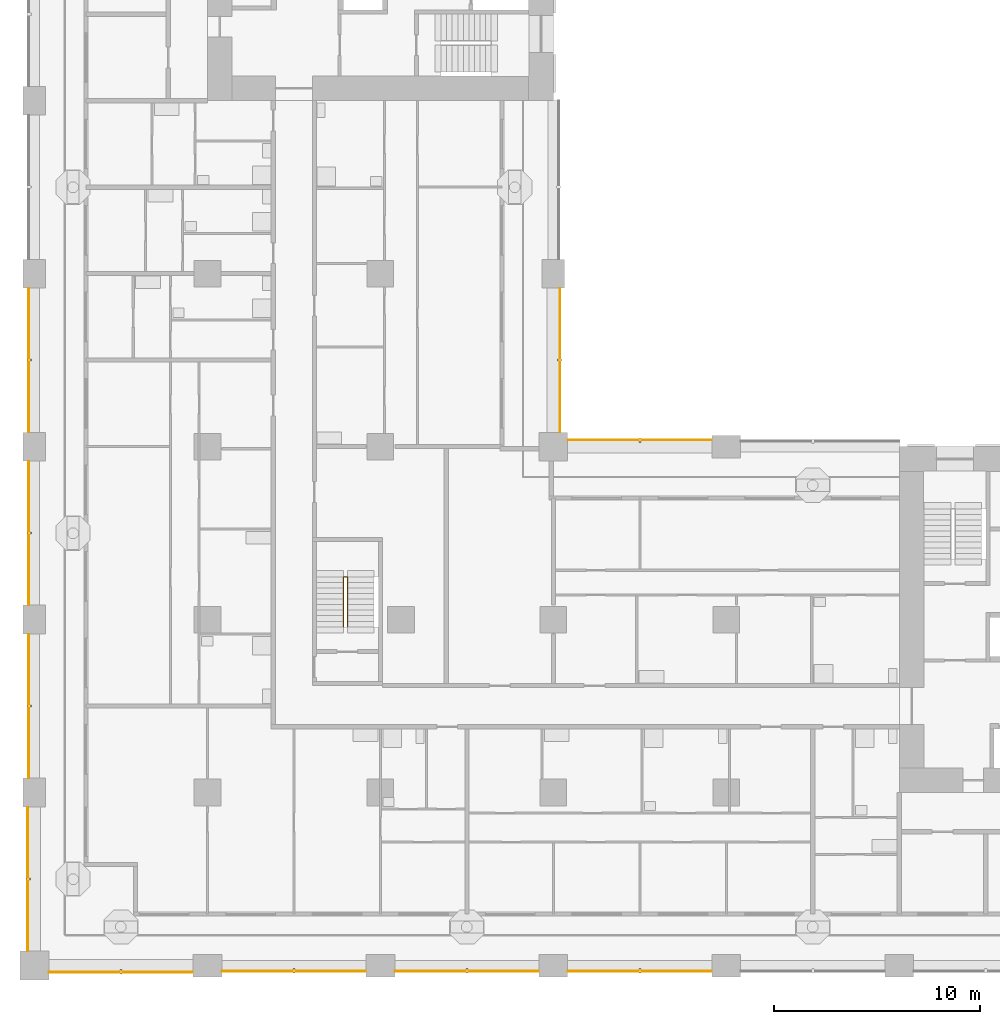
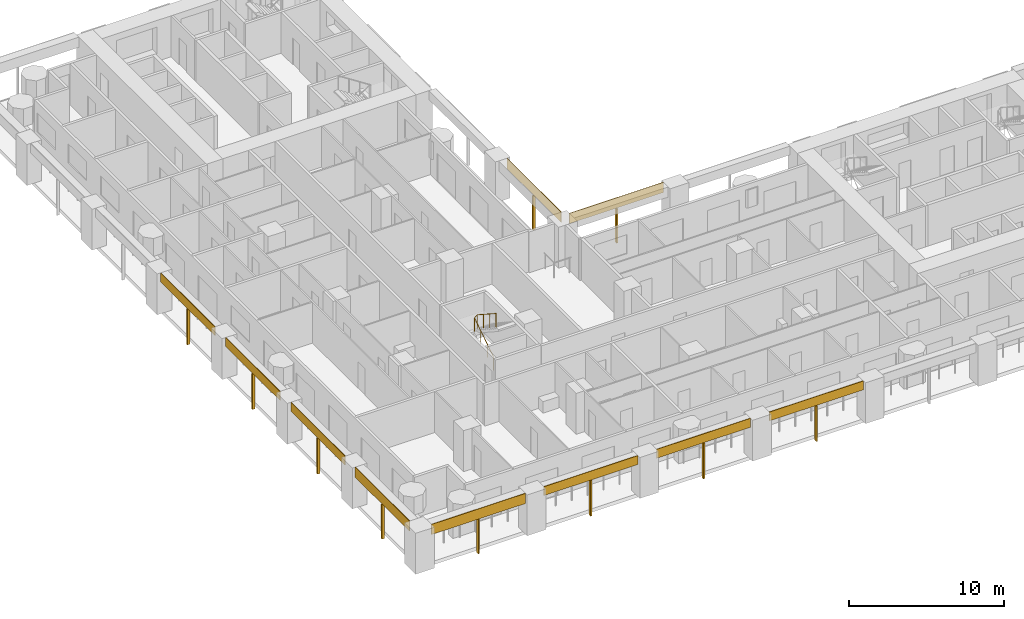
# One storey, part 10 of 19: 20 shading devices, 1 railing.
"""IFC4 building model written with IfcOpenShell, lengths in metres."""

from ifc_helpers import new_model, si_unit, direction, frame, origin, origin_2d, place, context, subcontext, project, spatial, rectangle, circle, extrude, material, layer, layer_set, material_profile, profile_set, type_object, element, save


model = new_model("IFC4")

# Units and contexts
model_context = context("Model", 3, precision=1e-05, world=origin(), true_north=direction((0.0, 1.0)))
body_context = subcontext(model_context, "Body", "Model", "MODEL_VIEW")
ifc_project = project(units=[si_unit("LENGTHUNIT", "METRE"), si_unit("AREAUNIT", "SQUARE_METRE"), si_unit("VOLUMEUNIT", "CUBIC_METRE"), si_unit("PLANEANGLEUNIT", "RADIAN"), si_unit("MASSUNIT", "GRAM", prefix="KILO")], contexts=[model_context])

# Site, building, storey
site_placement = place(None, origin())
site = spatial("IfcSite", under=ifc_project, at=site_placement, CompositionType="ELEMENT")
building_placement = place(site_placement, origin())
building = spatial("IfcBuilding", under=site, at=building_placement, Name="Vermilion Gate Residences", CompositionType="ELEMENT")
storey_placement = place(building_placement, frame((0.0, 0.0, 32.199951171875)))
storey = spatial("IfcBuildingStorey", under=building, at=storey_placement, Name="L06", CompositionType="ELEMENT", Elevation=32.199951171875)

# Shading devices
ifc_material_1 = material(Name="Perforated terracotta", Category="masonry")
ifc_layer = layer(ifc_material_1, 0.0400390625)
ifc_layer_set = layer_set([ifc_layer], Name="PERFORATED TERRACOTTA SCREEN 40")
shading_device_type_1 = type_object("IfcShadingDeviceType", Name="PERFORATED TERRACOTTA SCREEN 40", PredefinedType="SHUTTER", material=ifc_layer_set)
shading_device_1_placement = place(storey_placement, frame((4.199951171875, -0.320068359375, 2.419921875), z_axis=(0.0, 0.0, 1.0), x_axis=(1.0, 0.0, 0.0)))
element("IfcShadingDevice", 1, at=shading_device_1_placement, inside=storey, type_object=shading_device_type_1, Name="SCREEN", PredefinedType="SHUTTER", context=body_context, shape_type="SweptSolid", body=[
    extrude(rectangle(XDim=7.0, YDim=0.0400390625, at=origin_2d()), origin(), (0.0, 0.0, 1.0), 0.800048828125),
])
for number, where, z_axis, x_axis, name in (
    (2, (12.60009765625, -0.27001953125, 2.52001953125), (0.0, 0.0, 1.0), (1.0, 0.0, 0.0), "SCREEN"),
    (3, (21.0, -0.27001953125, 2.52001953125), (0.0, 0.0, 1.0), (1.0, 0.0, 0.0), "SCREEN"),
    (4, (29.39990234375, -0.27001953125, 2.52001953125), (0.0, 0.0, 1.0), (1.0, 0.0, 0.0), "SCREEN"),
):
    element("IfcShadingDevice", number, at=place(storey_placement, frame(where, z_axis=z_axis, x_axis=x_axis)), inside=storey, type_object=shading_device_type_1, Name=name, PredefinedType="SHUTTER", context=body_context, shape_type="SweptSolid", body=[
        extrude(rectangle(XDim=7.0, YDim=0.0400390625, at=origin_2d()), origin(), (0.0, 0.0, 1.0), 0.699951171875),
    ])
for number, where, z_axis, x_axis, name in (
    (5, (29.39990234375, 25.52001953125, 2.419921875), (0.0, 0.0, 1.0), (-1.0, 0.0, 0.0), "SCREEN"),
    (6, (25.52001953125, 29.39990234375, 2.419921875), (0.0, 0.0, 1.0), (0.0, 1.0, 0.0), "SCREEN"),
    (7, (-0.320068359375, 4.199951171875, 2.419921875), (0.0, 0.0, 1.0), (0.0, -1.0, 0.0), "SCREEN"),
):
    element("IfcShadingDevice", number, at=place(storey_placement, frame(where, z_axis=z_axis, x_axis=x_axis)), inside=storey, type_object=shading_device_type_1, Name=name, PredefinedType="SHUTTER", context=body_context, shape_type="SweptSolid", body=[
        extrude(rectangle(XDim=7.0, YDim=0.0400390625, at=origin_2d()), origin(), (0.0, 0.0, 1.0), 0.800048828125),
    ])
for number, where, z_axis, x_axis, name in (
    (8, (-0.27001953125, 12.60009765625, 2.52001953125), (0.0, 0.0, 1.0), (0.0, -1.0, 0.0), "SCREEN"),
    (9, (-0.27001953125, 21.0, 2.52001953125), (0.0, 0.0, 1.0), (0.0, -1.0, 0.0), "SCREEN"),
    (10, (-0.27001953125, 29.39990234375, 2.52001953125), (0.0, 0.0, 1.0), (0.0, -1.0, 0.0), "SCREEN"),
):
    element("IfcShadingDevice", number, at=place(storey_placement, frame(where, z_axis=z_axis, x_axis=x_axis)), inside=storey, type_object=shading_device_type_1, Name=name, PredefinedType="SHUTTER", context=body_context, shape_type="SweptSolid", body=[
        extrude(rectangle(XDim=7.0, YDim=0.0400390625, at=origin_2d()), origin(), (0.0, 0.0, 1.0), 0.699951171875),
    ])

# Railing
ifc_material_2 = material(Name="Steel S355", Category="steel")
railing_type = type_object("IfcRailingType", Name="STAIR GUARD 1100 STEEL", PredefinedType="GUARDRAIL", material=ifc_material_2)
railing_placement = place(storey_placement, frame((15.0, 16.449951171875, 0.175048828125)))
element("IfcRailing", 11, at=railing_placement, inside=storey, type_object=railing_type, Name="Stair well guard STC1-06", PredefinedType="GUARDRAIL", context=body_context, shape_type="SweptSolid", body=[
    extrude(circle(Radius=0.02392578125, at=origin_2d()), frame((0.0, 0.0, 1.076171875), z_axis=(0.0, 0.839153699163, 0.543894354798), x_axis=(-1.0, 0.0, 0.0)), (0.0, 0.0, 1.0), 2.895751953125),
    extrude(circle(Radius=0.02392578125, at=origin_2d()), frame((0.0, 2.429931640625, 2.65087890625), z_axis=(0.752405939678, 0.0, 0.658699705433), x_axis=(0.0, 1.0, 0.0)), (0.0, 0.0, 1.0), 0.265869140625),
    extrude(circle(Radius=0.02392578125, at=origin_2d()), frame((0.199951171875, 2.429931640625, 2.826171875), z_axis=(0.0, -0.839153699163, 0.543894354798), x_axis=(1.0, 0.0, 0.0)), (0.0, 0.0, 1.0), 2.895751953125),
    extrude(circle(Radius=0.02099609375, at=origin_2d()), origin(), (0.0, 0.0, 1.0), 1.052001953125),
    extrude(circle(Radius=0.02099609375, at=origin_2d()), frame((0.0, 0.81005859375, 0.52490234375)), (0.0, 0.0, 1.0), 1.052001953125),
    extrude(circle(Radius=0.02099609375, at=origin_2d()), frame((0.0, 1.619873046875, 1.050048828125)), (0.0, 0.0, 1.0), 1.052001953125),
    extrude(circle(Radius=0.02099609375, at=origin_2d()), frame((0.0, 2.429931640625, 1.574951171875)), (0.0, 0.0, 1.0), 1.052001953125),
    extrude(circle(Radius=0.02099609375, at=origin_2d()), frame((0.199951171875, 2.429931640625, 1.75)), (0.0, 0.0, 1.0), 1.052001953125),
    extrude(circle(Radius=0.02099609375, at=origin_2d()), frame((0.199951171875, 1.619873046875, 2.27490234375)), (0.0, 0.0, 1.0), 1.052001953125),
    extrude(circle(Radius=0.02099609375, at=origin_2d()), frame((0.199951171875, 0.81005859375, 2.800048828125)), (0.0, 0.0, 1.0), 1.052001953125),
    extrude(circle(Radius=0.02099609375, at=origin_2d()), frame((0.199951171875, 0.0, 3.324951171875)), (0.0, 0.0, 1.0), 1.052001953125),
])

# Shading devices
ifc_material_3 = material(Name="Extruded terracotta", Category="masonry")
ifc_material_profile = material_profile(ifc_material_3, rectangle(XDim=0.199951171875, YDim=0.10009765625, at=origin_2d()), Name="BAGUETTE 100 X 200")
ifc_profile_set = profile_set([ifc_material_profile], Name="Extruded terracotta")
shading_device_type_2 = type_object("IfcShadingDeviceType", Name="TERRACOTTA BAGUETTE 100 X 200", PredefinedType="JALOUSIE", material=ifc_profile_set)
shading_device_2_placement = place(storey_placement, frame((4.199951171875, -0.300048828125, -0.280029296875), z_axis=(0.0, 0.0, 1.0), x_axis=(0.0, 1.0, 0.0)))
element("IfcShadingDevice", 12, at=shading_device_2_placement, inside=storey, type_object=shading_device_type_2, Name="BAGUETTE", PredefinedType="JALOUSIE", context=body_context, shape_type="SweptSolid", body=[
    extrude(rectangle(XDim=0.199951171875, YDim=0.10009765625, at=origin_2d()), origin(), (0.0, 0.0, 1.0), 2.7001953125),
])
for number, where, z_axis, x_axis, name in (
    (13, (12.60009765625, -0.25, -0.280029296875), (0.0, 0.0, 1.0), (0.0, 1.0, 0.0), "BAGUETTE"),
    (14, (21.0, -0.25, -0.280029296875), (0.0, 0.0, 1.0), (0.0, 1.0, 0.0), "BAGUETTE"),
    (15, (29.39990234375, -0.25, -0.280029296875), (0.0, 0.0, 1.0), (0.0, 1.0, 0.0), "BAGUETTE"),
):
    element("IfcShadingDevice", number, at=place(storey_placement, frame(where, z_axis=z_axis, x_axis=x_axis)), inside=storey, type_object=shading_device_type_2, Name=name, PredefinedType="JALOUSIE", context=body_context, shape_type="SweptSolid", body=[
        extrude(rectangle(XDim=0.199951171875, YDim=0.10009765625, at=origin_2d()), origin(), (0.0, 0.0, 1.0), 2.800048828125),
    ])
for number, where, z_axis, x_axis, name in (
    (16, (29.39990234375, 25.5, -0.280029296875), (0.0, 0.0, 1.0), (0.0, -1.0, 0.0), "BAGUETTE"),
    (17, (25.5, 29.39990234375, -0.280029296875), (0.0, 0.0, 1.0), (-1.0, 0.0, 0.0), "BAGUETTE"),
    (18, (-0.300048828125, 4.199951171875, -0.280029296875), (0.0, 0.0, 1.0), (1.0, 0.0, 0.0), "BAGUETTE"),
):
    element("IfcShadingDevice", number, at=place(storey_placement, frame(where, z_axis=z_axis, x_axis=x_axis)), inside=storey, type_object=shading_device_type_2, Name=name, PredefinedType="JALOUSIE", context=body_context, shape_type="SweptSolid", body=[
        extrude(rectangle(XDim=0.199951171875, YDim=0.10009765625, at=origin_2d()), origin(), (0.0, 0.0, 1.0), 2.7001953125),
    ])
for number, where, z_axis, x_axis, name in (
    (19, (-0.25, 12.60009765625, -0.280029296875), (0.0, 0.0, 1.0), (1.0, 0.0, 0.0), "BAGUETTE"),
    (20, (-0.25, 21.0, -0.280029296875), (0.0, 0.0, 1.0), (1.0, 0.0, 0.0), "BAGUETTE"),
    (21, (-0.25, 29.39990234375, -0.280029296875), (0.0, 0.0, 1.0), (1.0, 0.0, 0.0), "BAGUETTE"),
):
    element("IfcShadingDevice", number, at=place(storey_placement, frame(where, z_axis=z_axis, x_axis=x_axis)), inside=storey, type_object=shading_device_type_2, Name=name, PredefinedType="JALOUSIE", context=body_context, shape_type="SweptSolid", body=[
        extrude(rectangle(XDim=0.199951171875, YDim=0.10009765625, at=origin_2d()), origin(), (0.0, 0.0, 1.0), 2.800048828125),
    ])

save(model, "model.ifc")
